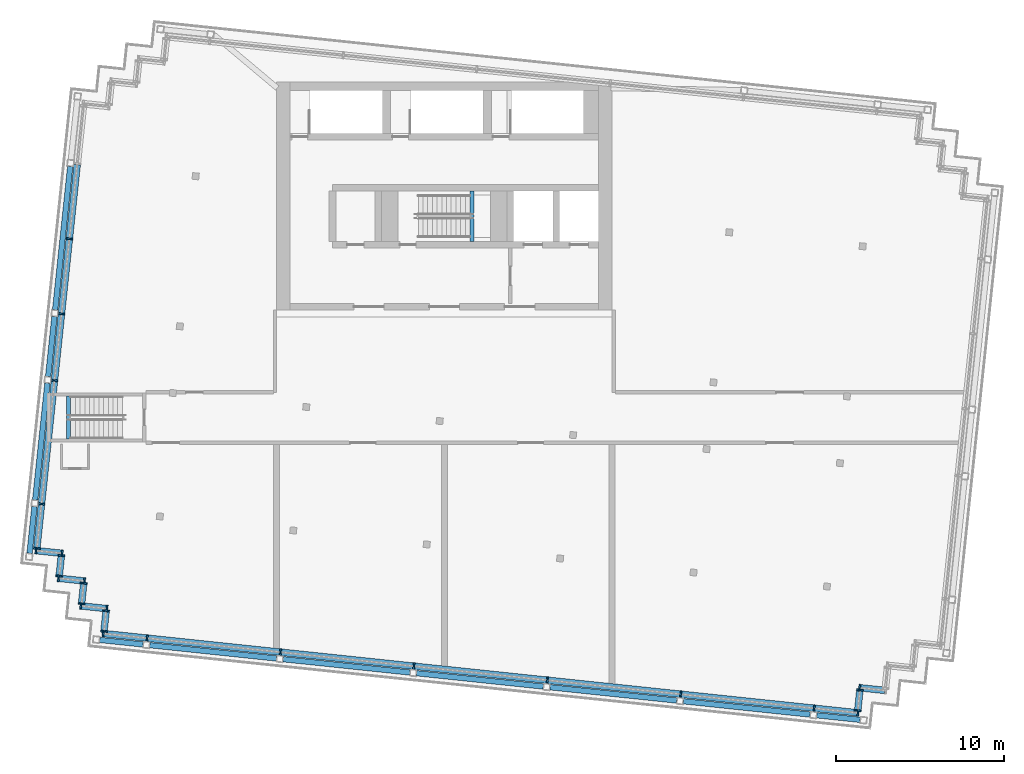
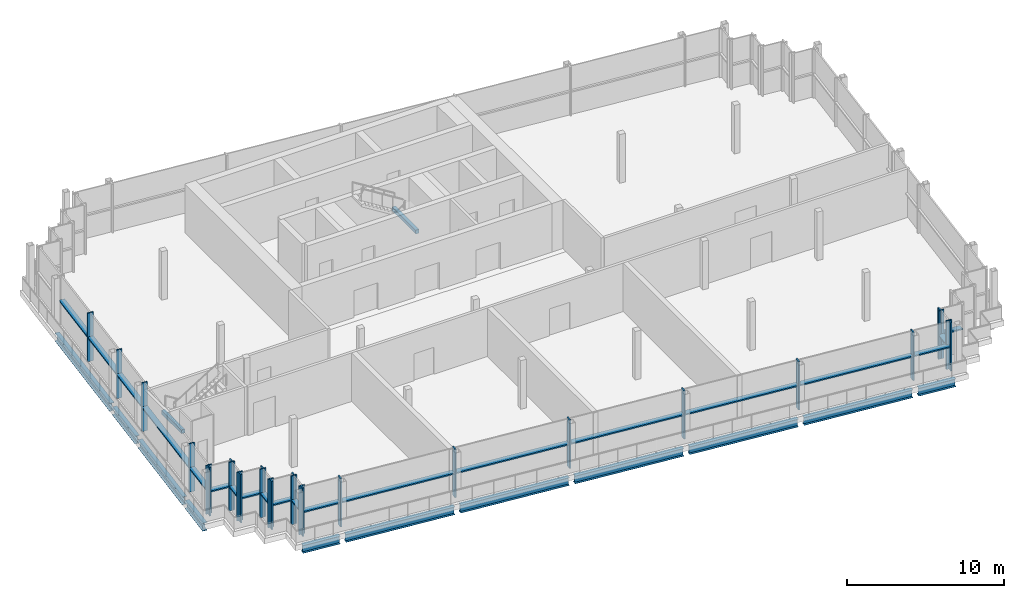
# One storey, part 3 of 13: 48 members, 13 beams, 10 elements without a shape of their own.
"""IFC4 building model written with IfcOpenShell, lengths in metres."""

from ifc_helpers import new_model, si_unit, direction, frame, origin, origin_2d, place, context, subcontext, project, spatial, rectangle, i_section, extrude, material, material_profile, profile_set, type_object, element, aggregate, save


model = new_model("IFC4")

# Units and contexts
model_context = context("Model", 3, precision=1e-05, world=origin(), true_north=direction((0.0, 1.0)))
body_context = subcontext(model_context, "Body", "Model", "MODEL_VIEW")
ifc_project = project(units=[si_unit("LENGTHUNIT", "METRE"), si_unit("AREAUNIT", "SQUARE_METRE"), si_unit("VOLUMEUNIT", "CUBIC_METRE"), si_unit("PLANEANGLEUNIT", "RADIAN"), si_unit("MASSUNIT", "GRAM", prefix="KILO")], contexts=[model_context])

# Site, building, storey
site_placement = place(None, origin())
site = spatial("IfcSite", under=ifc_project, at=site_placement, CompositionType="ELEMENT")
building_placement = place(site_placement, origin())
building = spatial("IfcBuilding", under=site, at=building_placement, Name="Vidyagriha Tower", CompositionType="ELEMENT")
storey_placement = place(building_placement, frame((0.0, 0.0, 309.199951171875)))
storey = spatial("IfcBuildingStorey", under=building, at=storey_placement, Name="L79", CompositionType="ELEMENT", Elevation=309.199951171875)

# Beams
ifc_material_1 = material(Name="Steel ASTM A992 Grade 50", Category="steel")
ifc_material_profile_1 = material_profile(ifc_material_1, i_section(OverallWidth=0.32373046875, OverallDepth=0.612060546875, WebThickness=0.0126953125, FlangeThickness=0.01904296875, at=origin_2d()), Name="W24X104")
ifc_profile_set_1 = profile_set([ifc_material_profile_1], Name="Steel ASTM A992 Grade 50")
beam_type_1 = type_object("IfcBeamType", Name="Edge beam W24X104", PredefinedType="SPANDREL", material=ifc_profile_set_1)
beam_1_placement = place(storey_placement, frame((-20.552978515625, -13.263427734375, -0.72607421875), z_axis=(0.99451368233, -0.104606575594, 0.0), x_axis=(0.104606575594, 0.99451368233, 0.0)))
element("IfcBeam", 1, at=beam_1_placement, inside=storey, type_object=beam_type_1, Name="st-beam-L79-S01", PredefinedType="SPANDREL", context=body_context, shape_type="SweptSolid", body=[
    extrude(i_section(OverallWidth=0.32373046875, OverallDepth=0.612060546875, WebThickness=0.0126953125, FlangeThickness=0.01904296875, at=origin_2d()), origin(), (0.0, 0.0, 1.0), 2.599853515625),
])
for number, where, z_axis, x_axis, name in (
    (2, (-17.569580078125, -13.5771484375, -0.72607421875), (0.994521634953, -0.104530940926, 0.0), (0.104530940926, 0.994521634953, 0.0), "st-beam-L79-S02"),
    (3, (-9.61328125, -14.413330078125, -0.72607421875), (0.994521634953, -0.104530940926, 0.0), (0.104530940926, 0.994521634953, 0.0), "st-beam-L79-S03"),
    (4, (-1.6572265625, -15.24951171875, -0.72607421875), (0.994521634953, -0.104530940926, 0.0), (0.104530940926, 0.994521634953, 0.0), "st-beam-L79-S04"),
    (5, (6.299072265625, -16.085693359375, -0.72607421875), (0.994521634953, -0.104530940926, 0.0), (0.104530940926, 0.994521634953, 0.0), "st-beam-L79-S05"),
):
    element("IfcBeam", number, at=place(storey_placement, frame(where, z_axis=z_axis, x_axis=x_axis)), inside=storey, type_object=beam_type_1, Name=name, PredefinedType="SPANDREL", context=body_context, shape_type="SweptSolid", body=[
        extrude(i_section(OverallWidth=0.32373046875, OverallDepth=0.612060546875, WebThickness=0.0126953125, FlangeThickness=0.01904296875, at=origin_2d()), origin(), (0.0, 0.0, 1.0), 7.60009765625),
    ])
beam_2_placement = place(storey_placement, frame((14.255126953125, -16.922119140625, -0.72607421875), z_axis=(0.994524973995, -0.104499167945, 0.0), x_axis=(0.104499167945, 0.994524973995, 0.0)))
element("IfcBeam", 6, at=beam_2_placement, inside=storey, type_object=beam_type_1, Name="st-beam-L79-S06", PredefinedType="SPANDREL", context=body_context, shape_type="SweptSolid", body=[
    extrude(i_section(OverallWidth=0.32373046875, OverallDepth=0.612060546875, WebThickness=0.0126953125, FlangeThickness=0.01904296875, at=origin_2d()), origin(), (0.0, 0.0, 1.0), 7.599853515625),
])
beam_3_placement = place(storey_placement, frame((22.211181640625, -17.75830078125, -0.72607421875), z_axis=(0.994524472508, -0.104503940512, 0.0), x_axis=(0.104503940512, 0.994524472508, 0.0)))
element("IfcBeam", 7, at=beam_3_placement, inside=storey, type_object=beam_type_1, Name="st-beam-L79-S07", PredefinedType="SPANDREL", context=body_context, shape_type="SweptSolid", body=[
    extrude(i_section(OverallWidth=0.32373046875, OverallDepth=0.612060546875, WebThickness=0.0126953125, FlangeThickness=0.01904296875, at=origin_2d()), origin(), (0.0, 0.0, 1.0), 2.60009765625),
])
beam_4_placement = place(storey_placement, frame((-24.736083984375, -8.097900390625, -0.72607421875), z_axis=(0.104544080685, 0.994520253788, 0.0), x_axis=(-0.994520253788, 0.104544080685, 0.0)))
element("IfcBeam", 8, at=beam_4_placement, inside=storey, type_object=beam_type_1, Name="st-beam-L79-W08", PredefinedType="SPANDREL", context=body_context, shape_type="SweptSolid", body=[
    extrude(i_section(OverallWidth=0.32373046875, OverallDepth=0.612060546875, WebThickness=0.0126953125, FlangeThickness=0.01904296875, at=origin_2d()), origin(), (0.0, 0.0, 1.0), 2.800048828125),
])
beam_5_placement = place(storey_placement, frame((-24.401611328125, -4.91552734375, -0.72607421875), z_axis=(0.104526832686, 0.994522066748, 0.0), x_axis=(-0.994522066748, 0.104526832686, 0.0)))
element("IfcBeam", 9, at=beam_5_placement, inside=storey, type_object=beam_type_1, Name="st-beam-L79-W09", PredefinedType="SPANDREL", context=body_context, shape_type="SweptSolid", body=[
    extrude(i_section(OverallWidth=0.32373046875, OverallDepth=0.612060546875, WebThickness=0.0126953125, FlangeThickness=0.01904296875, at=origin_2d()), origin(), (0.0, 0.0, 1.0), 7.0),
])
beam_6_placement = place(storey_placement, frame((-23.628173828125, 2.444091796875, -0.72607421875), z_axis=(0.104578872801, 0.994516595821, 0.0), x_axis=(-0.994516595821, 0.104578872801, 0.0)))
element("IfcBeam", 10, at=beam_6_placement, inside=storey, type_object=beam_type_1, Name="st-beam-L79-W10", PredefinedType="SPANDREL", context=body_context, shape_type="SweptSolid", body=[
    extrude(i_section(OverallWidth=0.32373046875, OverallDepth=0.612060546875, WebThickness=0.0126953125, FlangeThickness=0.01904296875, at=origin_2d()), origin(), (0.0, 0.0, 1.0), 3.599853515625),
])
beam_7_placement = place(storey_placement, frame((-23.2099609375, 6.422119140625, -0.72607421875), z_axis=(0.104528138401, 0.994521929513, 0.0), x_axis=(-0.994521929513, 0.104528138401, 0.0)))
element("IfcBeam", 11, at=beam_7_placement, inside=storey, type_object=beam_type_1, Name="st-beam-L79-W11", PredefinedType="SPANDREL", context=body_context, shape_type="SweptSolid", body=[
    extrude(i_section(OverallWidth=0.32373046875, OverallDepth=0.612060546875, WebThickness=0.0126953125, FlangeThickness=0.01904296875, at=origin_2d()), origin(), (0.0, 0.0, 1.0), 8.599853515625),
])

# Curtain wall, members
ifc_material_2 = material(Name="Aluminium and glass curtain wall", Category="aluminium")
curtain_wall_type = type_object("IfcCurtainWallType", Name="Crown plant louvre wall", PredefinedType="USERDEFINED", material=ifc_material_2)
curtain_wall_1_placement = place(storey_placement, origin())
curtain_wall_1 = element("IfcCurtainWall", 12, at=curtain_wall_1_placement, inside=storey, type_object=curtain_wall_type, Name="CW9 crown plant louvre wall", ObjectType="STICK GLAZING", PredefinedType="USERDEFINED")
ifc_material_3 = material(Name="Aluminium black anodised", Category="aluminium")
ifc_material_profile_2 = material_profile(ifc_material_3, rectangle(XDim=0.39990234375, YDim=0.10009765625, at=origin_2d()), Name="Mullion 100x400 black aluminium")
ifc_profile_set_2 = profile_set([ifc_material_profile_2], Name="Aluminium black anodised")
member_type_1 = type_object("IfcMemberType", Name="Mullion 100x400 black aluminium", PredefinedType="MULLION", material=ifc_profile_set_2)
member_1_placement = place(storey_placement, frame((-22.36279296875, 10.656494140625, 0.0), z_axis=(0.0, 0.0, 1.0), x_axis=(0.994522018715, -0.104527289697, 0.0)))
member_1 = element("IfcMember", 13, at=member_1_placement, type_object=member_type_1, Name="CW9 mullion 3", PredefinedType="MULLION", context=body_context, shape_type="SweptSolid", body=[
    extrude(rectangle(XDim=0.39990234375, YDim=0.10009765625, at=origin_2d()), origin(), (0.0, 0.0, 1.0), 3.780029296875),
])
member_2_placement = place(storey_placement, frame((-22.8330078125, 6.181396484375, 0.0), z_axis=(0.0, 0.0, 1.0), x_axis=(0.994522018715, -0.104527289697, 0.0)))
member_2 = element("IfcMember", 14, at=member_2_placement, type_object=member_type_1, Name="CW9 mullion 4", PredefinedType="MULLION", context=body_context, shape_type="SweptSolid", body=[
    extrude(rectangle(XDim=0.39990234375, YDim=0.10009765625, at=origin_2d()), origin(), (0.0, 0.0, 1.0), 3.780029296875),
])
member_3_placement = place(storey_placement, frame((-23.251220703125, 2.203125, 0.0), z_axis=(0.0, 0.0, 1.0), x_axis=(0.994522018715, -0.104527289697, 0.0)))
member_3 = element("IfcMember", 15, at=member_3_placement, type_object=member_type_1, Name="CW9 mullion 5", PredefinedType="MULLION", context=body_context, shape_type="SweptSolid", body=[
    extrude(rectangle(XDim=0.39990234375, YDim=0.10009765625, at=origin_2d()), origin(), (0.0, 0.0, 1.0), 3.780029296875),
])
member_4_placement = place(storey_placement, frame((-24.024658203125, -5.15625, 0.0), z_axis=(0.0, 0.0, 1.0), x_axis=(0.994522018715, -0.104527289697, 0.0)))
member_4 = element("IfcMember", 16, at=member_4_placement, type_object=member_type_1, Name="CW9 mullion 6", PredefinedType="MULLION", context=body_context, shape_type="SweptSolid", body=[
    extrude(rectangle(XDim=0.39990234375, YDim=0.10009765625, at=origin_2d()), origin(), (0.0, 0.0, 1.0), 3.780029296875),
])
member_5_placement = place(storey_placement, frame((-24.3037109375, -7.8115234375, 0.0), z_axis=(0.0, 0.0, 1.0), x_axis=(0.994522018715, -0.104527289697, 0.0)))
member_5 = element("IfcMember", 17, at=member_5_placement, type_object=member_type_1, Name="CW9 mullion 7", PredefinedType="MULLION", context=body_context, shape_type="SweptSolid", body=[
    extrude(rectangle(XDim=0.39990234375, YDim=0.10009765625, at=origin_2d()), origin(), (0.0, 0.0, 1.0), 3.780029296875),
])

curtain_wall_2_placement = place(storey_placement, origin())
curtain_wall_2 = element("IfcCurtainWall", 18, at=curtain_wall_2_placement, inside=storey, type_object=curtain_wall_type, Name="CW9 crown plant louvre wall", ObjectType="STICK GLAZING", PredefinedType="USERDEFINED")
member_6_placement = place(storey_placement, frame((-24.34716796875, -7.937744140625, 0.0), z_axis=(0.0, 0.0, 1.0), x_axis=(0.104518583201, 0.994522933756, 0.0)))
member_6 = element("IfcMember", 19, at=member_6_placement, type_object=member_type_1, Name="CW9 mullion 1", PredefinedType="MULLION", context=body_context, shape_type="SweptSolid", body=[
    extrude(rectangle(XDim=0.39990234375, YDim=0.10009765625, at=origin_2d()), origin(), (0.0, 0.0, 1.0), 3.780029296875),
])
member_7_placement = place(storey_placement, frame((-22.795654296875, -8.100830078125, 0.0), z_axis=(0.0, 0.0, 1.0), x_axis=(0.104518583201, 0.994522933756, 0.0)))
member_7 = element("IfcMember", 20, at=member_7_placement, type_object=member_type_1, Name="CW9 mullion 2", PredefinedType="MULLION", context=body_context, shape_type="SweptSolid", body=[
    extrude(rectangle(XDim=0.39990234375, YDim=0.10009765625, at=origin_2d()), origin(), (0.0, 0.0, 1.0), 3.780029296875),
])

curtain_wall_3_placement = place(storey_placement, origin())
curtain_wall_3 = element("IfcCurtainWall", 21, at=curtain_wall_3_placement, inside=storey, type_object=curtain_wall_type, Name="CW9 crown plant louvre wall", ObjectType="STICK GLAZING", PredefinedType="USERDEFINED")
member_8_placement = place(storey_placement, frame((-22.839111328125, -8.22705078125, 0.0), z_axis=(0.0, 0.0, 1.0), x_axis=(0.994518939392, -0.104556583677, 0.0)))
member_8 = element("IfcMember", 22, at=member_8_placement, type_object=member_type_1, Name="CW9 mullion 1", PredefinedType="MULLION", context=body_context, shape_type="SweptSolid", body=[
    extrude(rectangle(XDim=0.39990234375, YDim=0.10009765625, at=origin_2d()), origin(), (0.0, 0.0, 1.0), 3.780029296875),
])
member_9_placement = place(storey_placement, frame((-22.96875, -9.460205078125, 0.0), z_axis=(0.0, 0.0, 1.0), x_axis=(0.994518939392, -0.104556583677, 0.0)))
member_9 = element("IfcMember", 23, at=member_9_placement, type_object=member_type_1, Name="CW9 mullion 2", PredefinedType="MULLION", context=body_context, shape_type="SweptSolid", body=[
    extrude(rectangle(XDim=0.39990234375, YDim=0.10009765625, at=origin_2d()), origin(), (0.0, 0.0, 1.0), 3.780029296875),
])

curtain_wall_4_placement = place(storey_placement, origin())
curtain_wall_4 = element("IfcCurtainWall", 24, at=curtain_wall_4_placement, inside=storey, type_object=curtain_wall_type, Name="CW9 crown plant louvre wall", ObjectType="STICK GLAZING", PredefinedType="USERDEFINED")
member_10_placement = place(storey_placement, frame((-23.01220703125, -9.58642578125, 0.0), z_axis=(0.0, 0.0, 1.0), x_axis=(0.104458999463, 0.994529193856, 0.0)))
member_10 = element("IfcMember", 25, at=member_10_placement, type_object=member_type_1, Name="CW9 mullion 1", PredefinedType="MULLION", context=body_context, shape_type="SweptSolid", body=[
    extrude(rectangle(XDim=0.39990234375, YDim=0.10009765625, at=origin_2d()), origin(), (0.0, 0.0, 1.0), 3.780029296875),
])
member_11_placement = place(storey_placement, frame((-21.460693359375, -9.749267578125, 0.0), z_axis=(0.0, 0.0, 1.0), x_axis=(0.104458999463, 0.994529193856, 0.0)))
member_11 = element("IfcMember", 26, at=member_11_placement, type_object=member_type_1, Name="CW9 mullion 2", PredefinedType="MULLION", context=body_context, shape_type="SweptSolid", body=[
    extrude(rectangle(XDim=0.39990234375, YDim=0.10009765625, at=origin_2d()), origin(), (0.0, 0.0, 1.0), 3.780029296875),
])

curtain_wall_5_placement = place(storey_placement, origin())
curtain_wall_5 = element("IfcCurtainWall", 27, at=curtain_wall_5_placement, inside=storey, type_object=curtain_wall_type, Name="CW9 crown plant louvre wall", ObjectType="STICK GLAZING", PredefinedType="USERDEFINED")
member_12_placement = place(storey_placement, frame((-21.504150390625, -9.87548828125, 0.0), z_axis=(0.0, 0.0, 1.0), x_axis=(0.994519755162, -0.104548823962, 0.0)))
member_12 = element("IfcMember", 28, at=member_12_placement, type_object=member_type_1, Name="CW9 mullion 1", PredefinedType="MULLION", context=body_context, shape_type="SweptSolid", body=[
    extrude(rectangle(XDim=0.39990234375, YDim=0.10009765625, at=origin_2d()), origin(), (0.0, 0.0, 1.0), 3.780029296875),
])
member_13_placement = place(storey_placement, frame((-21.6337890625, -11.108642578125, 0.0), z_axis=(0.0, 0.0, 1.0), x_axis=(0.994519755162, -0.104548823962, 0.0)))
member_13 = element("IfcMember", 29, at=member_13_placement, type_object=member_type_1, Name="CW9 mullion 2", PredefinedType="MULLION", context=body_context, shape_type="SweptSolid", body=[
    extrude(rectangle(XDim=0.39990234375, YDim=0.10009765625, at=origin_2d()), origin(), (0.0, 0.0, 1.0), 3.780029296875),
])

curtain_wall_6_placement = place(storey_placement, origin())
curtain_wall_6 = element("IfcCurtainWall", 30, at=curtain_wall_6_placement, inside=storey, type_object=curtain_wall_type, Name="CW9 crown plant louvre wall", ObjectType="STICK GLAZING", PredefinedType="USERDEFINED")
member_14_placement = place(storey_placement, frame((-21.67724609375, -11.23486328125, 0.0), z_axis=(0.0, 0.0, 1.0), x_axis=(0.104518583201, 0.994522933756, 0.0)))
member_14 = element("IfcMember", 31, at=member_14_placement, type_object=member_type_1, Name="CW9 mullion 1", PredefinedType="MULLION", context=body_context, shape_type="SweptSolid", body=[
    extrude(rectangle(XDim=0.39990234375, YDim=0.10009765625, at=origin_2d()), origin(), (0.0, 0.0, 1.0), 3.780029296875),
])
member_15_placement = place(storey_placement, frame((-20.125732421875, -11.39794921875, 0.0), z_axis=(0.0, 0.0, 1.0), x_axis=(0.104518583201, 0.994522933756, 0.0)))
member_15 = element("IfcMember", 32, at=member_15_placement, type_object=member_type_1, Name="CW9 mullion 2", PredefinedType="MULLION", context=body_context, shape_type="SweptSolid", body=[
    extrude(rectangle(XDim=0.39990234375, YDim=0.10009765625, at=origin_2d()), origin(), (0.0, 0.0, 1.0), 3.780029296875),
])

curtain_wall_7_placement = place(storey_placement, origin())
curtain_wall_7 = element("IfcCurtainWall", 33, at=curtain_wall_7_placement, inside=storey, type_object=curtain_wall_type, Name="CW9 crown plant louvre wall", ObjectType="STICK GLAZING", PredefinedType="USERDEFINED")
member_16_placement = place(storey_placement, frame((-20.169189453125, -11.524169921875, 0.0), z_axis=(0.0, 0.0, 1.0), x_axis=(0.994518939392, -0.104556583677, 0.0)))
member_16 = element("IfcMember", 34, at=member_16_placement, type_object=member_type_1, Name="CW9 mullion 1", PredefinedType="MULLION", context=body_context, shape_type="SweptSolid", body=[
    extrude(rectangle(XDim=0.39990234375, YDim=0.10009765625, at=origin_2d()), origin(), (0.0, 0.0, 1.0), 3.780029296875),
])
member_17_placement = place(storey_placement, frame((-20.298828125, -12.75732421875, 0.0), z_axis=(0.0, 0.0, 1.0), x_axis=(0.994518939392, -0.104556583677, 0.0)))
member_17 = element("IfcMember", 35, at=member_17_placement, type_object=member_type_1, Name="CW9 mullion 2", PredefinedType="MULLION", context=body_context, shape_type="SweptSolid", body=[
    extrude(rectangle(XDim=0.39990234375, YDim=0.10009765625, at=origin_2d()), origin(), (0.0, 0.0, 1.0), 3.780029296875),
])

curtain_wall_8_placement = place(storey_placement, origin())
curtain_wall_8 = element("IfcCurtainWall", 36, at=curtain_wall_8_placement, inside=storey, type_object=curtain_wall_type, Name="CW9 crown plant louvre wall", ObjectType="STICK GLAZING", PredefinedType="USERDEFINED")
member_18_placement = place(storey_placement, frame((-20.34228515625, -12.883544921875, 0.0), z_axis=(0.0, 0.0, 1.0), x_axis=(0.104528251556, 0.99452191762, 0.0)))
member_18 = element("IfcMember", 37, at=member_18_placement, type_object=member_type_1, Name="CW9 mullion 1", PredefinedType="MULLION", context=body_context, shape_type="SweptSolid", body=[
    extrude(rectangle(XDim=0.39990234375, YDim=0.10009765625, at=origin_2d()), origin(), (0.0, 0.0, 1.0), 3.780029296875),
])
member_19_placement = place(storey_placement, frame((-17.7265625, -13.158447265625, 0.0), z_axis=(0.0, 0.0, 1.0), x_axis=(0.104528251556, 0.99452191762, 0.0)))
member_19 = element("IfcMember", 38, at=member_19_placement, type_object=member_type_1, Name="CW9 mullion 2", PredefinedType="MULLION", context=body_context, shape_type="SweptSolid", body=[
    extrude(rectangle(XDim=0.39990234375, YDim=0.10009765625, at=origin_2d()), origin(), (0.0, 0.0, 1.0), 3.780029296875),
])
member_20_placement = place(storey_placement, frame((-9.7705078125, -13.99462890625, 0.0), z_axis=(0.0, 0.0, 1.0), x_axis=(0.104528251556, 0.99452191762, 0.0)))
member_20 = element("IfcMember", 39, at=member_20_placement, type_object=member_type_1, Name="CW9 mullion 3", PredefinedType="MULLION", context=body_context, shape_type="SweptSolid", body=[
    extrude(rectangle(XDim=0.39990234375, YDim=0.10009765625, at=origin_2d()), origin(), (0.0, 0.0, 1.0), 3.780029296875),
])
member_21_placement = place(storey_placement, frame((-1.814208984375, -14.830810546875, 0.0), z_axis=(0.0, 0.0, 1.0), x_axis=(0.104528251556, 0.99452191762, 0.0)))
member_21 = element("IfcMember", 40, at=member_21_placement, type_object=member_type_1, Name="CW9 mullion 4", PredefinedType="MULLION", context=body_context, shape_type="SweptSolid", body=[
    extrude(rectangle(XDim=0.39990234375, YDim=0.10009765625, at=origin_2d()), origin(), (0.0, 0.0, 1.0), 3.780029296875),
])
member_22_placement = place(storey_placement, frame((6.141845703125, -15.6669921875, 0.0), z_axis=(0.0, 0.0, 1.0), x_axis=(0.104528251556, 0.99452191762, 0.0)))
member_22 = element("IfcMember", 41, at=member_22_placement, type_object=member_type_1, Name="CW9 mullion 5", PredefinedType="MULLION", context=body_context, shape_type="SweptSolid", body=[
    extrude(rectangle(XDim=0.39990234375, YDim=0.10009765625, at=origin_2d()), origin(), (0.0, 0.0, 1.0), 3.780029296875),
])
member_23_placement = place(storey_placement, frame((14.09814453125, -16.503173828125, 0.0), z_axis=(0.0, 0.0, 1.0), x_axis=(0.104528251556, 0.99452191762, 0.0)))
member_23 = element("IfcMember", 42, at=member_23_placement, type_object=member_type_1, Name="CW9 mullion 6", PredefinedType="MULLION", context=body_context, shape_type="SweptSolid", body=[
    extrude(rectangle(XDim=0.39990234375, YDim=0.10009765625, at=origin_2d()), origin(), (0.0, 0.0, 1.0), 3.780029296875),
])
member_24_placement = place(storey_placement, frame((22.05419921875, -17.33935546875, 0.0), z_axis=(0.0, 0.0, 1.0), x_axis=(0.104528251556, 0.99452191762, 0.0)))
member_24 = element("IfcMember", 43, at=member_24_placement, type_object=member_type_1, Name="CW9 mullion 7", PredefinedType="MULLION", context=body_context, shape_type="SweptSolid", body=[
    extrude(rectangle(XDim=0.39990234375, YDim=0.10009765625, at=origin_2d()), origin(), (0.0, 0.0, 1.0), 3.780029296875),
])
member_25_placement = place(storey_placement, frame((24.669921875, -17.6142578125, 0.0), z_axis=(0.0, 0.0, 1.0), x_axis=(0.104528251556, 0.99452191762, 0.0)))
member_25 = element("IfcMember", 44, at=member_25_placement, type_object=member_type_1, Name="CW9 mullion 8", PredefinedType="MULLION", context=body_context, shape_type="SweptSolid", body=[
    extrude(rectangle(XDim=0.39990234375, YDim=0.10009765625, at=origin_2d()), origin(), (0.0, 0.0, 1.0), 3.780029296875),
])

curtain_wall_9_placement = place(storey_placement, origin())
curtain_wall_9 = element("IfcCurtainWall", 45, at=curtain_wall_9_placement, inside=storey, type_object=curtain_wall_type, Name="CW9 crown plant louvre wall", ObjectType="STICK GLAZING", PredefinedType="USERDEFINED")
member_26_placement = place(storey_placement, frame((24.653564453125, -17.48193359375, 0.0), z_axis=(0.0, 0.0, 1.0), x_axis=(-0.994518939392, 0.104556583677, 0.0)))
member_26 = element("IfcMember", 46, at=member_26_placement, type_object=member_type_1, Name="CW9 mullion 1", PredefinedType="MULLION", context=body_context, shape_type="SweptSolid", body=[
    extrude(rectangle(XDim=0.39990234375, YDim=0.10009765625, at=origin_2d()), origin(), (0.0, 0.0, 1.0), 3.780029296875),
])
member_27_placement = place(storey_placement, frame((24.783203125, -16.248779296875, 0.0), z_axis=(0.0, 0.0, 1.0), x_axis=(-0.994518939392, 0.104556583677, 0.0)))
member_27 = element("IfcMember", 47, at=member_27_placement, type_object=member_type_1, Name="CW9 mullion 2", PredefinedType="MULLION", context=body_context, shape_type="SweptSolid", body=[
    extrude(rectangle(XDim=0.39990234375, YDim=0.10009765625, at=origin_2d()), origin(), (0.0, 0.0, 1.0), 3.780029296875),
])

# Curtain wall, member
curtain_wall_10_placement = place(storey_placement, origin())
curtain_wall_10 = element("IfcCurtainWall", 48, at=curtain_wall_10_placement, inside=storey, type_object=curtain_wall_type, Name="CW9 crown plant louvre wall", ObjectType="STICK GLAZING", PredefinedType="USERDEFINED")
member_28_placement = place(storey_placement, frame((24.76708984375, -16.116455078125, 0.0), z_axis=(0.0, 0.0, 1.0), x_axis=(0.104518583201, 0.994522933756, 0.0)))
member_28 = element("IfcMember", 49, at=member_28_placement, type_object=member_type_1, Name="CW9 mullion 1", PredefinedType="MULLION", context=body_context, shape_type="SweptSolid", body=[
    extrude(rectangle(XDim=0.39990234375, YDim=0.10009765625, at=origin_2d()), origin(), (0.0, 0.0, 1.0), 3.780029296875),
])

# Beams
ifc_material_4 = material(Name="Concrete C40/50", Category="concrete")
ifc_material_profile_3 = material_profile(ifc_material_4, rectangle(XDim=0.25, YDim=0.300048828125, at=origin_2d()), Name="Stair landing bearing beam 250x300")
ifc_profile_set_3 = profile_set([ifc_material_profile_3], Name="Concrete C40/50")
beam_type_2 = type_object("IfcBeamType", Name="Stair landing bearing beam 250x300", PredefinedType="BEAM", material=ifc_profile_set_3)
beam_8_placement = place(storey_placement, frame((1.655029296875, 10.5, 1.75), z_axis=(0.0, 1.0, 0.0), x_axis=(-1.0, 0.0, 0.0)))
element("IfcBeam", 50, at=beam_8_placement, inside=storey, type_object=beam_type_2, Name="ST-D landing bearing beam L79", PredefinedType="BEAM", context=body_context, shape_type="SweptSolid", body=[
    extrude(rectangle(XDim=0.25, YDim=0.300048828125, at=origin_2d()), origin(), (0.0, 0.0, 1.0), 3.0),
])
beam_9_placement = place(storey_placement, frame((-22.405029296875, -1.27490234375, 1.75), z_axis=(0.0, 1.0, 0.0), x_axis=(-1.0, 0.0, 0.0)))
element("IfcBeam", 51, at=beam_9_placement, inside=storey, type_object=beam_type_2, Name="ST-D2 landing bearing beam L79", PredefinedType="BEAM", context=body_context, shape_type="SweptSolid", body=[
    extrude(rectangle(XDim=0.25, YDim=0.300048828125, at=origin_2d()), origin(), (0.0, 0.0, 1.0), 2.5498046875),
])

# Member
ifc_material_5 = material(Name="Aluminium black anodised", Category="aluminium")
ifc_material_profile_4 = material_profile(ifc_material_5, rectangle(XDim=0.39990234375, YDim=0.10009765625, at=origin_2d()), Name="Transom 100x400 black aluminium")
ifc_profile_set_4 = profile_set([ifc_material_profile_4], Name="Aluminium black anodised")
member_type_2 = type_object("IfcMemberType", Name="Transom 100x400 black aluminium", PredefinedType="USERDEFINED", material=ifc_profile_set_4)
member_29_placement = place(storey_placement, frame((-21.8974609375, 15.082275390625, 1.89013671875), z_axis=(-0.104534592565, -0.994521251134, 0.0), x_axis=(0.994521251134, -0.104534592565, 0.0)))
member_29 = element("IfcMember", 52, at=member_29_placement, type_object=member_type_2, Name="CW9 transom 2.1", ObjectType="TRANSOM", PredefinedType="USERDEFINED", context=body_context, shape_type="SweptSolid", body=[
    extrude(rectangle(XDim=0.39990234375, YDim=0.10009765625, at=origin_2d()), origin(), (0.0, 0.0, 1.0), 4.400146484375),
])

member_30_placement = place(storey_placement, frame((-22.367919921875, 10.60693359375, 1.89013671875), z_axis=(-0.104534592565, -0.994521251134, 0.0), x_axis=(0.994521251134, -0.104534592565, 0.0)))
member_30 = element("IfcMember", 53, at=member_30_placement, type_object=member_type_2, Name="CW9 transom 3.1", ObjectType="TRANSOM", PredefinedType="USERDEFINED", context=body_context, shape_type="SweptSolid", body=[
    extrude(rectangle(XDim=0.39990234375, YDim=0.10009765625, at=origin_2d()), origin(), (0.0, 0.0, 1.0), 4.400146484375),
])

member_31_placement = place(storey_placement, frame((-22.83837890625, 6.131591796875, 1.89013671875), z_axis=(-0.104479488415, -0.994527041613, 0.0), x_axis=(0.994527041613, -0.104479488415, 0.0)))
member_31 = element("IfcMember", 54, at=member_31_placement, type_object=member_type_2, Name="CW9 transom 4.1", ObjectType="TRANSOM", PredefinedType="USERDEFINED", context=body_context, shape_type="SweptSolid", body=[
    extrude(rectangle(XDim=0.39990234375, YDim=0.10009765625, at=origin_2d()), origin(), (0.0, 0.0, 1.0), 3.89990234375),
])

member_32_placement = place(storey_placement, frame((-23.25634765625, 2.153564453125, 1.89013671875), z_axis=(-0.104542033295, -0.994520469007, 0.0), x_axis=(0.994520469007, -0.104542033295, 0.0)))
member_32 = element("IfcMember", 55, at=member_32_placement, type_object=member_type_2, Name="CW9 transom 5.1", ObjectType="TRANSOM", PredefinedType="USERDEFINED", context=body_context, shape_type="SweptSolid", body=[
    extrude(rectangle(XDim=0.39990234375, YDim=0.10009765625, at=origin_2d()), origin(), (0.0, 0.0, 1.0), 7.30029296875),
])

member_33_placement = place(storey_placement, frame((-24.030029296875, -5.2060546875, 1.89013671875), z_axis=(-0.104496870469, -0.994525215398, 0.0), x_axis=(0.994525215398, -0.104496870469, 0.0)))
member_33 = element("IfcMember", 56, at=member_33_placement, type_object=member_type_2, Name="CW9 transom 6.1", ObjectType="TRANSOM", PredefinedType="USERDEFINED", context=body_context, shape_type="SweptSolid", body=[
    extrude(rectangle(XDim=0.39990234375, YDim=0.10009765625, at=origin_2d()), origin(), (0.0, 0.0, 1.0), 2.570068359375),
])

aggregate(curtain_wall_1, [member_1, member_2, member_3, member_4, member_5, member_29, member_30, member_31, member_32, member_33])

member_34_placement = place(storey_placement, frame((-24.29736328125, -7.94287109375, 1.89013671875), z_axis=(0.99452284952, -0.104519384723, 0.0), x_axis=(0.104519384723, 0.99452284952, 0.0)))
member_34 = element("IfcMember", 57, at=member_34_placement, type_object=member_type_2, Name="CW9 transom 1.1", ObjectType="TRANSOM", PredefinedType="USERDEFINED", context=body_context, shape_type="SweptSolid", body=[
    extrude(rectangle(XDim=0.39990234375, YDim=0.10009765625, at=origin_2d()), origin(), (0.0, 0.0, 1.0), 1.4599609375),
])

aggregate(curtain_wall_2, [member_6, member_7, member_34])

member_35_placement = place(storey_placement, frame((-22.84423828125, -8.27685546875, 1.89013671875), z_axis=(-0.1047405333, -0.994499583049, 0.0), x_axis=(0.994499583049, -0.1047405333, 0.0)))
member_35 = element("IfcMember", 58, at=member_35_placement, type_object=member_type_2, Name="CW9 transom 1.1", ObjectType="TRANSOM", PredefinedType="USERDEFINED", context=body_context, shape_type="SweptSolid", body=[
    extrude(rectangle(XDim=0.39990234375, YDim=0.10009765625, at=origin_2d()), origin(), (0.0, 0.0, 1.0), 1.139892578125),
])

aggregate(curtain_wall_3, [member_8, member_9, member_35])

member_36_placement = place(storey_placement, frame((-22.96240234375, -9.591552734375, 1.89013671875), z_axis=(0.99452284952, -0.104519384723, 0.0), x_axis=(0.104519384723, 0.99452284952, 0.0)))
member_36 = element("IfcMember", 59, at=member_36_placement, type_object=member_type_2, Name="CW9 transom 1.1", ObjectType="TRANSOM", PredefinedType="USERDEFINED", context=body_context, shape_type="SweptSolid", body=[
    extrude(rectangle(XDim=0.39990234375, YDim=0.10009765625, at=origin_2d()), origin(), (0.0, 0.0, 1.0), 1.4599609375),
])

aggregate(curtain_wall_4, [member_10, member_11, member_36])

member_37_placement = place(storey_placement, frame((-21.50927734375, -9.925048828125, 1.89013671875), z_axis=(-0.104718226703, -0.994501932123, 0.0), x_axis=(0.994501932123, -0.104718226703, 0.0)))
member_37 = element("IfcMember", 60, at=member_37_placement, type_object=member_type_2, Name="CW9 transom 1.1", ObjectType="TRANSOM", PredefinedType="USERDEFINED", context=body_context, shape_type="SweptSolid", body=[
    extrude(rectangle(XDim=0.39990234375, YDim=0.10009765625, at=origin_2d()), origin(), (0.0, 0.0, 1.0), 1.14013671875),
])

aggregate(curtain_wall_5, [member_12, member_13, member_37])

member_38_placement = place(storey_placement, frame((-21.62744140625, -11.239990234375, 1.89013671875), z_axis=(0.99452284952, -0.104519384723, 0.0), x_axis=(0.104519384723, 0.99452284952, 0.0)))
member_38 = element("IfcMember", 61, at=member_38_placement, type_object=member_type_2, Name="CW9 transom 1.1", ObjectType="TRANSOM", PredefinedType="USERDEFINED", context=body_context, shape_type="SweptSolid", body=[
    extrude(rectangle(XDim=0.39990234375, YDim=0.10009765625, at=origin_2d()), origin(), (0.0, 0.0, 1.0), 1.4599609375),
])

aggregate(curtain_wall_6, [member_14, member_15, member_38])

member_39_placement = place(storey_placement, frame((-20.17431640625, -11.57373046875, 1.89013671875), z_axis=(-0.104506420204, -0.994524211941, 0.0), x_axis=(0.994524211941, -0.104506420204, 0.0)))
member_39 = element("IfcMember", 62, at=member_39_placement, type_object=member_type_2, Name="CW9 transom 1.1", ObjectType="TRANSOM", PredefinedType="USERDEFINED", context=body_context, shape_type="SweptSolid", body=[
    extrude(rectangle(XDim=0.39990234375, YDim=0.10009765625, at=origin_2d()), origin(), (0.0, 0.0, 1.0), 1.14013671875),
])

aggregate(curtain_wall_7, [member_16, member_17, member_39])

member_40_placement = place(storey_placement, frame((-20.29248046875, -12.888671875, 1.89013671875), z_axis=(0.994523944136, -0.104508968707, 0.0), x_axis=(0.104508968707, 0.994523944136, 0.0)))
member_40 = element("IfcMember", 63, at=member_40_placement, type_object=member_type_2, Name="CW9 transom 1.1", ObjectType="TRANSOM", PredefinedType="USERDEFINED", context=body_context, shape_type="SweptSolid", body=[
    extrude(rectangle(XDim=0.39990234375, YDim=0.10009765625, at=origin_2d()), origin(), (0.0, 0.0, 1.0), 2.530029296875),
])

member_41_placement = place(storey_placement, frame((-17.6767578125, -13.16357421875, 1.89013671875), z_axis=(0.99452304992, -0.104517477854, 0.0), x_axis=(0.104517477854, 0.99452304992, 0.0)))
member_41 = element("IfcMember", 64, at=member_41_placement, type_object=member_type_2, Name="CW9 transom 2.1", ObjectType="TRANSOM", PredefinedType="USERDEFINED", context=body_context, shape_type="SweptSolid", body=[
    extrude(rectangle(XDim=0.39990234375, YDim=0.10009765625, at=origin_2d()), origin(), (0.0, 0.0, 1.0), 7.89990234375),
])

member_42_placement = place(storey_placement, frame((-9.720703125, -13.999755859375, 1.89013671875), z_axis=(0.994519837139, -0.104548044158, 0.0), x_axis=(0.104548044158, 0.994519837139, 0.0)))
member_42 = element("IfcMember", 65, at=member_42_placement, type_object=member_type_2, Name="CW9 transom 3.1", ObjectType="TRANSOM", PredefinedType="USERDEFINED", context=body_context, shape_type="SweptSolid", body=[
    extrude(rectangle(XDim=0.39990234375, YDim=0.10009765625, at=origin_2d()), origin(), (0.0, 0.0, 1.0), 7.89990234375),
])

member_43_placement = place(storey_placement, frame((-1.764404296875, -14.8359375, 1.89013671875), z_axis=(0.994519837139, -0.104548044158, 0.0), x_axis=(0.104548044158, 0.994519837139, 0.0)))
member_43 = element("IfcMember", 66, at=member_43_placement, type_object=member_type_2, Name="CW9 transom 4.1", ObjectType="TRANSOM", PredefinedType="USERDEFINED", context=body_context, shape_type="SweptSolid", body=[
    extrude(rectangle(XDim=0.39990234375, YDim=0.10009765625, at=origin_2d()), origin(), (0.0, 0.0, 1.0), 7.89990234375),
])

member_44_placement = place(storey_placement, frame((6.191650390625, -15.672119140625, 1.89013671875), z_axis=(0.994519837139, -0.104548044158, 0.0), x_axis=(0.104548044158, 0.994519837139, 0.0)))
member_44 = element("IfcMember", 67, at=member_44_placement, type_object=member_type_2, Name="CW9 transom 5.1", ObjectType="TRANSOM", PredefinedType="USERDEFINED", context=body_context, shape_type="SweptSolid", body=[
    extrude(rectangle(XDim=0.39990234375, YDim=0.10009765625, at=origin_2d()), origin(), (0.0, 0.0, 1.0), 7.89990234375),
])

member_45_placement = place(storey_placement, frame((14.147705078125, -16.508544921875, 1.89013671875), z_axis=(0.994523387498, -0.10451426563, 0.0), x_axis=(0.10451426563, 0.994523387498, 0.0)))
member_45 = element("IfcMember", 68, at=member_45_placement, type_object=member_type_2, Name="CW9 transom 6.1", ObjectType="TRANSOM", PredefinedType="USERDEFINED", context=body_context, shape_type="SweptSolid", body=[
    extrude(rectangle(XDim=0.39990234375, YDim=0.10009765625, at=origin_2d()), origin(), (0.0, 0.0, 1.0), 7.900146484375),
])

member_46_placement = place(storey_placement, frame((22.10400390625, -17.3447265625, 1.89013671875), z_axis=(0.994523944136, -0.104508968707, 0.0), x_axis=(0.104508968707, 0.994523944136, 0.0)))
member_46 = element("IfcMember", 69, at=member_46_placement, type_object=member_type_2, Name="CW9 transom 7.1", ObjectType="TRANSOM", PredefinedType="USERDEFINED", context=body_context, shape_type="SweptSolid", body=[
    extrude(rectangle(XDim=0.39990234375, YDim=0.10009765625, at=origin_2d()), origin(), (0.0, 0.0, 1.0), 2.530029296875),
])

aggregate(curtain_wall_8, [member_18, member_19, member_20, member_21, member_22, member_23, member_24, member_25, member_40, member_41, member_42, member_43, member_44, member_45, member_46])

member_47_placement = place(storey_placement, frame((24.658935546875, -17.43212890625, 1.89013671875), z_axis=(0.104528682681, 0.994521872307, 0.0), x_axis=(-0.994521872307, 0.104528682681, 0.0)))
member_47 = element("IfcMember", 70, at=member_47_placement, type_object=member_type_2, Name="CW9 transom 1.1", ObjectType="TRANSOM", PredefinedType="USERDEFINED", context=body_context, shape_type="SweptSolid", body=[
    extrude(rectangle(XDim=0.39990234375, YDim=0.10009765625, at=origin_2d()), origin(), (0.0, 0.0, 1.0), 1.139892578125),
])

aggregate(curtain_wall_9, [member_26, member_27, member_47])

member_48_placement = place(storey_placement, frame((24.816650390625, -16.12158203125, 1.89013671875), z_axis=(0.994524675946, -0.10450200445, 0.0), x_axis=(0.10450200445, 0.994524675946, 0.0)))
member_48 = element("IfcMember", 71, at=member_48_placement, type_object=member_type_2, Name="CW9 transom 1.1", ObjectType="TRANSOM", PredefinedType="USERDEFINED", context=body_context, shape_type="SweptSolid", body=[
    extrude(rectangle(XDim=0.39990234375, YDim=0.10009765625, at=origin_2d()), origin(), (0.0, 0.0, 1.0), 1.460205078125),
])

aggregate(curtain_wall_10, [member_28, member_48])

save(model, "model.ifc")
